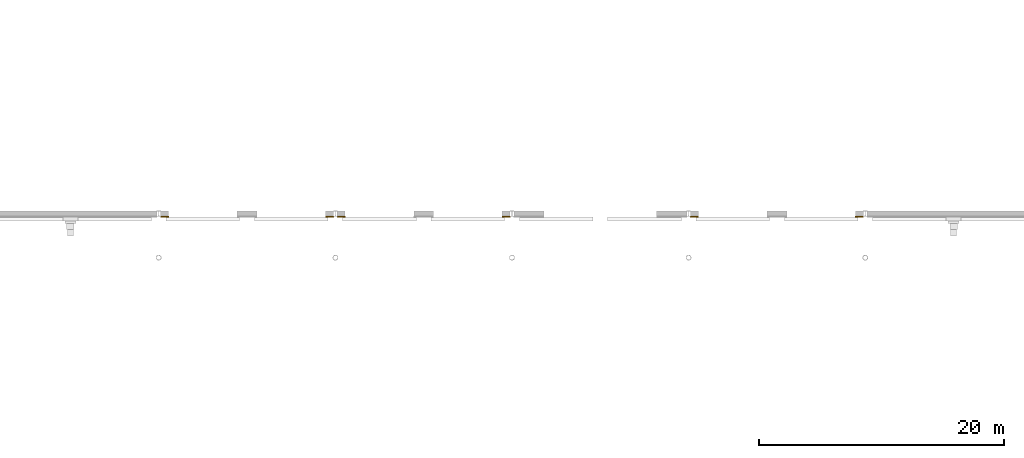
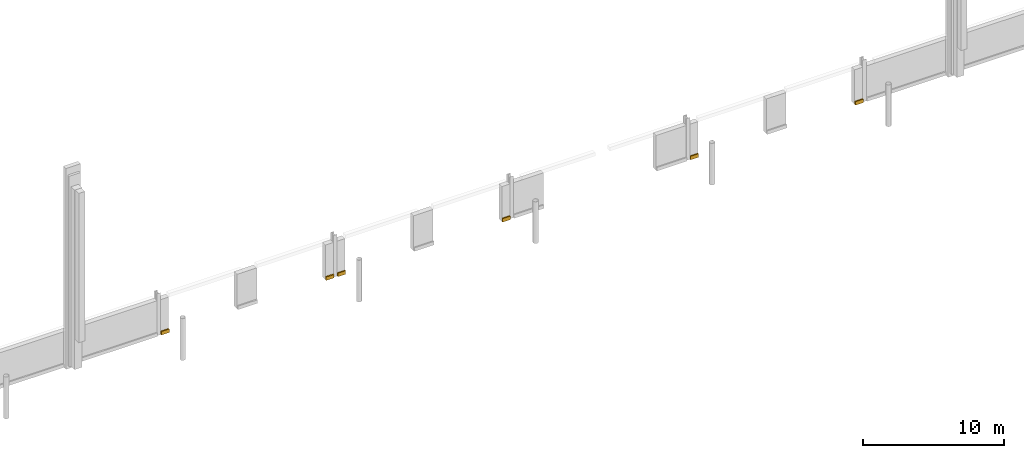
# One storey, part 88 of 90: 6 coverings.
"""IFC4 building model written with IfcOpenShell, lengths in metres."""

from ifc_helpers import new_model, si_unit, direction, frame, origin, origin_2d, place, context, subcontext, project, spatial, rectangle, extrude, material, layer, layer_set, type_object, element, save


model = new_model("IFC4")

# Units and contexts
model_context = context("Model", 3, precision=1e-05, world=origin(), true_north=direction((0.0, 1.0)))
body_context = subcontext(model_context, "Body", "Model", "MODEL_VIEW")
ifc_project = project(units=[si_unit("LENGTHUNIT", "METRE"), si_unit("AREAUNIT", "SQUARE_METRE"), si_unit("VOLUMEUNIT", "CUBIC_METRE"), si_unit("PLANEANGLEUNIT", "RADIAN"), si_unit("MASSUNIT", "GRAM", prefix="KILO")], contexts=[model_context])

# Site, building, storey
site_placement = place(None, origin())
site = spatial("IfcSite", under=ifc_project, at=site_placement, CompositionType="ELEMENT")
building_placement = place(site_placement, origin())
building = spatial("IfcBuilding", under=site, at=building_placement, Name="Kupolbacken Congress Centre", CompositionType="ELEMENT")
storey_placement = place(building_placement, frame((0.0, 0.0, 3.60009765625)))
storey = spatial("IfcBuildingStorey", under=building, at=storey_placement, Name="L01", CompositionType="ELEMENT", Elevation=3.60009765625)

# Coverings
ifc_material = material(Name="Brick cladding", Category="masonry")
ifc_layer = layer(ifc_material, 0.10791015625)
ifc_layer_set = layer_set([ifc_layer], Name="Brick cladding")
covering_type = type_object("IfcCoveringType", Name="CV2 brick cladding band 108", PredefinedType="CLADDING", material=ifc_layer_set)
for number, where, z_axis, x_axis, name in (
    (1, (108.47509765625, 42.93603515625, 0.0), (0.0, 0.0, 1.0), (1.0, 0.0, 0.0), "E/H/S/L01/173/band"),
    (2, (121.925048828125, 42.93603515625, 0.0), (0.0, 0.0, 1.0), (1.0, 0.0, 0.0), "E/H/S/L01/175/band"),
    (3, (122.875, 42.93603515625, 0.0), (0.0, 0.0, 1.0), (1.0, 0.0, 0.0), "E/H/S/L01/176/band"),
    (4, (136.324951171875, 42.93603515625, 0.0), (0.0, 0.0, 1.0), (1.0, 0.0, 0.0), "E/H/S/L01/178/band"),
    (5, (151.675048828125, 42.93603515625, 0.0), (0.0, 0.0, 1.0), (1.0, 0.0, 0.0), "E/H/S/L01/181/band"),
    (6, (165.125, 42.93603515625, 0.0), (0.0, 0.0, 1.0), (1.0, 0.0, 0.0), "E/H/S/L01/183/band"),
):
    element("IfcCovering", number, at=place(storey_placement, frame(where, z_axis=z_axis, x_axis=x_axis)), inside=storey, type_object=covering_type, Name=name, PredefinedType="CLADDING", context=body_context, shape_type="SweptSolid", body=[
        extrude(rectangle(XDim=0.64990234375, YDim=0.10791015625, at=origin_2d()), origin(), (0.0, 0.0, 1.0), 0.300048828125),
    ])

save(model, "model.ifc")
